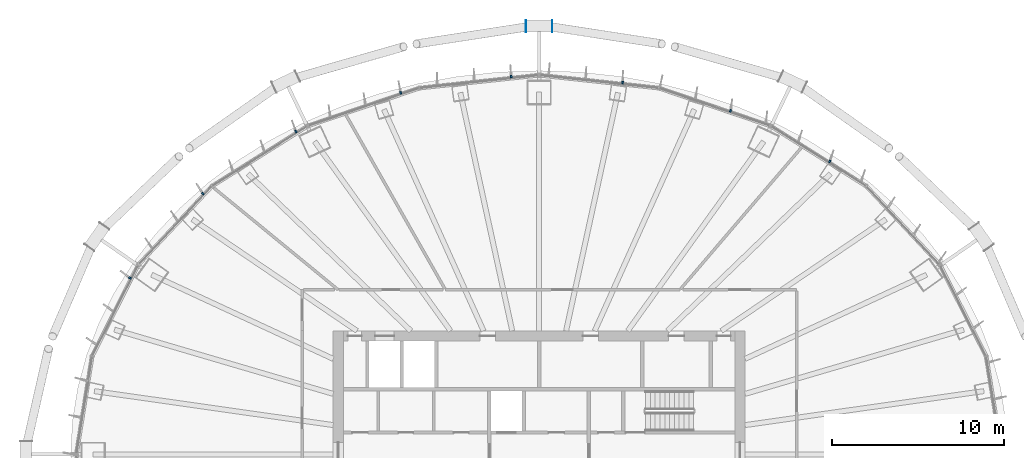
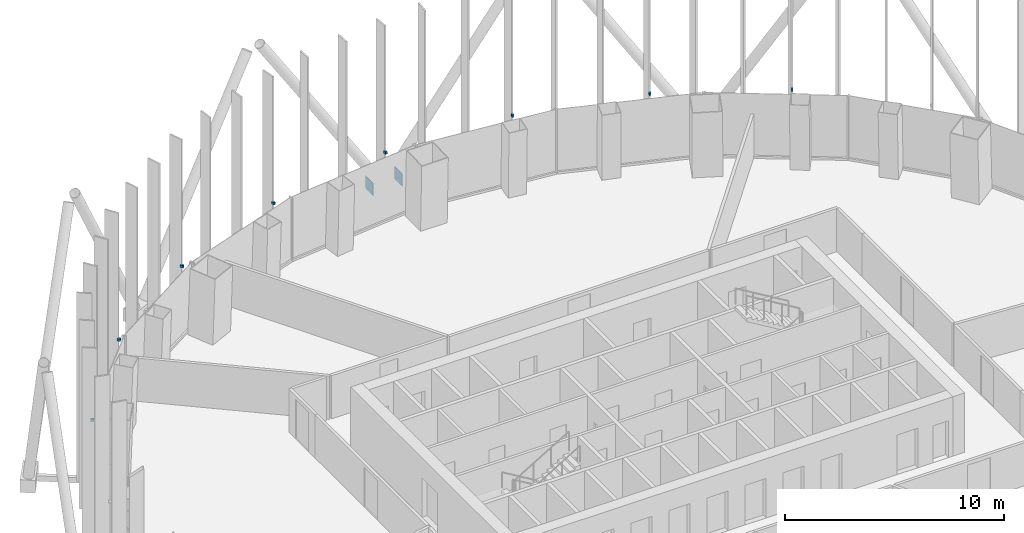
# One storey, part 16 of 21: 10 discrete accessories.
"""IFC4 building model written with IfcOpenShell, lengths in metres."""

import ifcopenshell
import ifcopenshell.guid

model = None  # the IFC model being written
_history = None  # IfcOwnerHistory: only IFC2X3 demands one
_inside = {}  # id of a spatial element -> (the spatial element, [elements in it])
_under = {}  # id of a project, library or spatial element -> (it, [spatial elements below it])
_declared = {}  # id of a project -> (the project, [libraries it declares])
_typed = {}  # id of a type object -> (the type object, [elements of that type])
_made_of = {}  # id of a material, layer set ... -> (it, [elements and type objects made of it])


def new_model(schema):
    """Start an empty IFC model of exactly this schema.

    Asked for "IFC4X3", IfcOpenShell would pick the latest addendum, in which some entities
    have other attributes; the version numbers below select the first issue.
    IFC2X3 requires an IfcOwnerHistory on every rooted entity: one is made here for all.
    """
    global model, _history
    if schema == "IFC4X3":
        model = ifcopenshell.file(schema_version=(4, 3, 0, 0))
    else:
        model = ifcopenshell.file(schema=schema)
    _inside.clear()
    _under.clear()
    _declared.clear()
    _typed.clear()
    _made_of.clear()
    _history = None
    if model.schema == "IFC2X3":
        org = make("IfcOrganization", Name="unknown")
        user = make(
            "IfcPersonAndOrganization",
            ThePerson=make("IfcPerson", FamilyName="unknown"),
            TheOrganization=org,
        )
        app = make(
            "IfcApplication",
            ApplicationDeveloper=org,
            Version="unknown",
            ApplicationFullName="unknown",
            ApplicationIdentifier="unknown",
        )
        _history = make(
            "IfcOwnerHistory",
            OwningUser=user,
            OwningApplication=app,
            ChangeAction="ADDED",
            CreationDate=0,
        )
    return model


def make(cls, **values):
    """One entity of the class cls with the attributes given. An attribute that is None is left unset."""
    return model.create_entity(
        cls, **{name: value for name, value in values.items() if value is not None}
    )


def rooted(cls, **values):
    """An entity with a GlobalId (a new one), such as an element, a storey or a relation."""
    return make(cls, GlobalId=ifcopenshell.guid.new(), OwnerHistory=_history, **values)


def si_unit(unit_type, name, prefix=None):
    """IfcSIUnit, for example si_unit("LENGTHUNIT", "METRE", prefix="MILLI")."""
    return make("IfcSIUnit", UnitType=unit_type, Prefix=prefix, Name=name)


def assignment(units):
    """IfcUnitAssignment: the units of a project."""
    return None if units is None else make("IfcUnitAssignment", Units=units)


def point(xyz):
    """IfcCartesianPoint."""
    return None if xyz is None else make("IfcCartesianPoint", Coordinates=xyz)


def direction(xyz):
    """IfcDirection."""
    return None if xyz is None else make("IfcDirection", DirectionRatios=xyz)


def frame(location, z_axis=None, x_axis=None):
    """IfcAxis2Placement3D, a coordinate frame: its origin and axes. An axis left out is left unset."""
    return make(
        "IfcAxis2Placement3D",
        Location=point(location),
        Axis=direction(z_axis),
        RefDirection=direction(x_axis),
    )


def frame_2d(location, x_axis=None):
    """IfcAxis2Placement2D, a coordinate frame in the plane: its origin and x axis."""
    return make(
        "IfcAxis2Placement2D", Location=point(location), RefDirection=direction(x_axis)
    )


def origin():
    """The frame at (0, 0, 0) with its axes left unset."""
    return frame((0.0, 0.0, 0.0))


def origin_2d():
    """The frame at (0, 0) in the plane with its x axis left unset."""
    return frame_2d((0.0, 0.0))


def place(relative_to, where):
    """IfcLocalPlacement: puts the frame where relative to a parent placement (None: the world)."""
    return make(
        "IfcLocalPlacement", PlacementRelTo=relative_to, RelativePlacement=where
    )


def context(
    kind, dimensions, precision=None, world=None, true_north=None, identifier=None
):
    """IfcGeometricRepresentationContext, for example the 3D "Model" context."""
    return make(
        "IfcGeometricRepresentationContext",
        ContextIdentifier=identifier,
        ContextType=kind,
        CoordinateSpaceDimension=dimensions,
        Precision=precision,
        WorldCoordinateSystem=world,
        TrueNorth=true_north,
    )


def subcontext(parent, identifier, kind, view, scale=None):
    """IfcGeometricRepresentationSubContext, for example "Body" below "Model"."""
    return make(
        "IfcGeometricRepresentationSubContext",
        ContextIdentifier=identifier,
        ContextType=kind,
        ParentContext=parent,
        TargetScale=scale,
        TargetView=view,
    )


def project(units=None, contexts=None):
    """IfcProject with its units and contexts."""
    return rooted(
        "IfcProject",
        Name="project",
        RepresentationContexts=contexts,
        UnitsInContext=assignment(units),
    )


def spatial(cls, under=None, at=None, **own):
    """A site, building, storey or space (cls), placed at a placement, below another one or the project."""
    s = rooted(cls, ObjectPlacement=at, **own)
    if under is not None:
        _under.setdefault(under.id(), (under, []))[1].append(s)
    return s


def profile(cls, at=None, kind="AREA", **sizes):
    """A parametric profile (cls). Its sizes go by their IFC names, for example OverallWidth=200.0."""
    return make(cls, ProfileType=kind, Position=at, **sizes)


def rectangle(**sizes):
    """IfcRectangleProfileDef."""
    return profile("IfcRectangleProfileDef", **sizes)


def extrude(swept, where, along, depth):
    """IfcExtrudedAreaSolid: the profile swept, set in the frame where, extruded along a direction by depth."""
    return make(
        "IfcExtrudedAreaSolid",
        SweptArea=swept,
        Position=where,
        ExtrudedDirection=direction(along),
        Depth=depth,
    )


def shape(context_of_items, identifier, shape_type, items):
    """IfcShapeRepresentation: the items that make up one representation, for example the "Body"."""
    return make(
        "IfcShapeRepresentation",
        ContextOfItems=context_of_items,
        RepresentationIdentifier=identifier,
        RepresentationType=shape_type,
        Items=items,
    )


def material(Name=None, Category=None):
    """IfcMaterial."""
    return make("IfcMaterial", Name=Name, Category=Category)


def layer(
    of_material, thickness, ventilated=None, Name=None, Category=None, Priority=None
):
    """IfcMaterialLayer: one layer of a wall or slab, of a material (None: an air gap)."""
    return make(
        "IfcMaterialLayer",
        Material=of_material,
        LayerThickness=thickness,
        IsVentilated=ventilated,
        Name=Name,
        Category=Category,
        Priority=Priority,
    )


def layer_set(layers, Name=None):
    """IfcMaterialLayerSet."""
    return make("IfcMaterialLayerSet", MaterialLayers=layers, LayerSetName=Name)


def made_of(thing, what):
    """Note that an element or type object is made of a material, layer set ...; save() writes the relation."""
    if what is not None:
        _made_of.setdefault(what.id(), (what, []))[1].append(thing)
    return thing


def type_object(cls, material=None, **own):
    """A type object (cls), such as IfcWallType, which elements share."""
    return made_of(rooted(cls, **own), material)


def element(
    cls,
    number,
    at=None,
    inside=None,
    cuts=None,
    type_object=None,
    material=None,
    context=None,
    identifier="Body",
    shape_type=None,
    held_by="IfcProductDefinitionShape",
    body=None,
    shapes=None,
    **own,
):
    """One element of the class cls, such as IfcWall. Its Tag is "e" and its number.

    at: its placement. inside: the storey or other place that contains it. cuts: it is an
    opening in that element (IfcRelVoidsElement). A single representation is given by context,
    identifier, shape_type and body (its items); several are given by shapes. held_by: the class
    of the entity that holds the representations. save() writes the other relations.
    """
    e = rooted(cls, Tag="e%d" % number, ObjectPlacement=at, **own)
    if body is not None:
        shapes = [shape(context, identifier, shape_type, body)]
    if shapes is not None:
        e.Representation = make(held_by, Representations=shapes)
    if inside is not None:
        _inside.setdefault(inside.id(), (inside, []))[1].append(e)
    if cuts is not None:
        rooted(
            "IfcRelVoidsElement", RelatingBuildingElement=cuts, RelatedOpeningElement=e
        )
    if type_object is not None:
        _typed.setdefault(type_object.id(), (type_object, []))[1].append(e)
    return made_of(e, material)


def aggregate(whole, parts):
    """IfcRelAggregates: a whole, such as a stair, and the parts it consists of."""
    return rooted("IfcRelAggregates", RelatingObject=whole, RelatedObjects=parts)


def save(model, path):
    """Write the relations noted so far, then the file.

    IfcRelAggregates (storeys below a building ...), IfcRelContainedInSpatialStructure (elements
    in a storey), IfcRelDefinesByType, IfcRelAssociatesMaterial and IfcRelDeclares: one each for
    every whole, place, type object, material and project.
    """
    for whole, parts in _under.values():
        aggregate(whole, parts)
    for where, things in _inside.values():
        rooted(
            "IfcRelContainedInSpatialStructure",
            RelatedElements=things,
            RelatingStructure=where,
        )
    for kind, things in _typed.values():
        rooted("IfcRelDefinesByType", RelatedObjects=things, RelatingType=kind)
    for what, things in _made_of.values():
        rooted("IfcRelAssociatesMaterial", RelatedObjects=things, RelatingMaterial=what)
    for by, libraries in _declared.values():
        rooted("IfcRelDeclares", RelatingContext=by, RelatedDefinitions=libraries)
    model.write(path)


model = new_model("IFC4")

# Units and contexts
model_context = context("Model", 3, precision=1e-05, world=origin(), true_north=direction((0.0, 1.0)))
body_context = subcontext(model_context, "Body", "Model", "MODEL_VIEW")
ifc_project = project(units=[si_unit("LENGTHUNIT", "METRE"), si_unit("AREAUNIT", "SQUARE_METRE"), si_unit("VOLUMEUNIT", "CUBIC_METRE"), si_unit("PLANEANGLEUNIT", "RADIAN"), si_unit("MASSUNIT", "GRAM", prefix="KILO")], contexts=[model_context])

# Site, building, storey
site_placement = place(None, origin())
site = spatial("IfcSite", under=ifc_project, at=site_placement, CompositionType="ELEMENT")
building_placement = place(site_placement, origin())
building = spatial("IfcBuilding", under=site, at=building_placement, Name="Siaravel Broadcast Tower", CompositionType="ELEMENT")
storey_placement = place(building_placement, frame((0.0, 0.0, 70.39990234375)))
storey = spatial("IfcBuildingStorey", under=building, at=storey_placement, Name="L16", CompositionType="ELEMENT", Elevation=70.39990234375)

# Discrete accessories
ifc_material_1 = material(Name="Stainless steel 316", Category="steel")
discrete_accessory_type_1 = type_object("IfcDiscreteAccessoryType", Name="Stainless steel fin bracket", PredefinedType="USERDEFINED", material=ifc_material_1)
for number, where, z_axis, x_axis, name in (
    (1, (16.9287109375, 17.074462890625, 3.68994140625), (0.0, 0.0, 1.0), (0.532149452, 0.846650436, 0.0), "Fin bracket L16-10"),
    (2, (11.1484375, 20.0224609375, 3.68994140625), (0.0, 0.0, 1.0), (0.321300635, 0.946977245, 0.0), "Fin bracket L16-13"),
    (3, (4.86376953125, 21.661376953125, 3.68994140625), (0.0, 0.0, 1.0), (0.107218518, 0.99423548, 0.0), "Fin bracket L16-16"),
    (4, (-1.627685546875, 22.01025390625, 3.68994140625), (0.0, 0.0, 1.0), (-0.107218518, 0.99423548, 0.0), "Fin bracket L16-19"),
    (5, (-8.066162109375, 21.068359375, 3.68994140625), (0.0, 0.0, 1.0), (-0.321300635, 0.946977245, 0.0), "Fin bracket L16-22"),
    (6, (-14.173095703125, 18.806640625, 3.68994140625), (0.0, 0.0, 1.0), (-0.532149452, 0.846650436, 0.0), "Fin bracket L16-25"),
    (7, (-19.591796875, 15.193603515625, 3.68994140625), (0.0, 0.0, 1.0), (-0.729805608, 0.683654718, 0.0), "Fin bracket L16-28"),
    (8, (-23.843505859375, 10.272705078125, 3.68994140625), (0.0, 0.0, 1.0), (-0.892392151, 0.451260732, 0.0), "Fin bracket L16-31"),
):
    element("IfcDiscreteAccessory", number, at=place(storey_placement, frame(where, z_axis=z_axis, x_axis=x_axis)), inside=storey, type_object=discrete_accessory_type_1, Name=name, ObjectType="BRACKET", PredefinedType="USERDEFINED", context=body_context, shape_type="SweptSolid", body=[
        extrude(rectangle(XDim=0.159912109375, YDim=0.10009765625, at=origin_2d()), origin(), (0.0, 0.0, 1.0), 0.139892578125),
    ])
ifc_material_2 = material(Name="Steel S355", Category="steel")
ifc_layer = layer(ifc_material_2, 0.02001953125)
ifc_layer_set = layer_set([ifc_layer], Name="Steel S355")
discrete_accessory_type_2 = type_object("IfcDiscreteAccessoryType", Name="Steel end plate 20 mm", PredefinedType="USERDEFINED", material=ifc_layer_set)
for number, where, z_axis, x_axis, name in (
    (9, (-0.763427734375, 24.9599609375, -0.5498046875), (0.0, 0.0, 1.0), (-1.0, 0.0, 0.0), "End plate R07 station 18A"),
    (10, (0.763427734375, 24.9599609375, -0.5498046875), (0.0, 0.0, 1.0), (-1.0, 0.0, 0.0), "End plate R07 station 18B"),
):
    element("IfcDiscreteAccessory", number, at=place(storey_placement, frame(where, z_axis=z_axis, x_axis=x_axis)), inside=storey, type_object=discrete_accessory_type_2, Name=name, ObjectType="END PLATE", PredefinedType="USERDEFINED", context=body_context, shape_type="SweptSolid", body=[
        extrude(rectangle(XDim=0.02001953125, YDim=0.699951171875, at=origin_2d()), origin(), (0.0, 0.0, 1.0), 0.699951171875),
    ])

save(model, "model.ifc")
